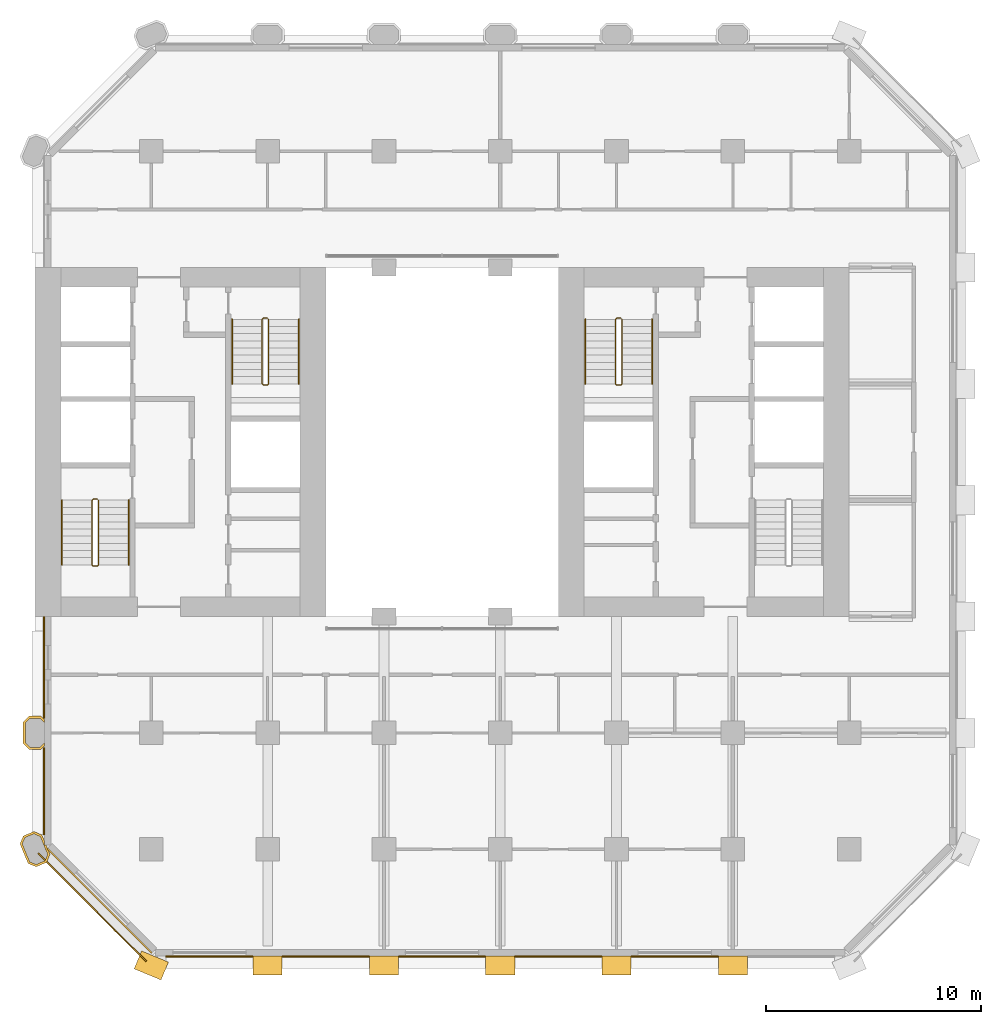
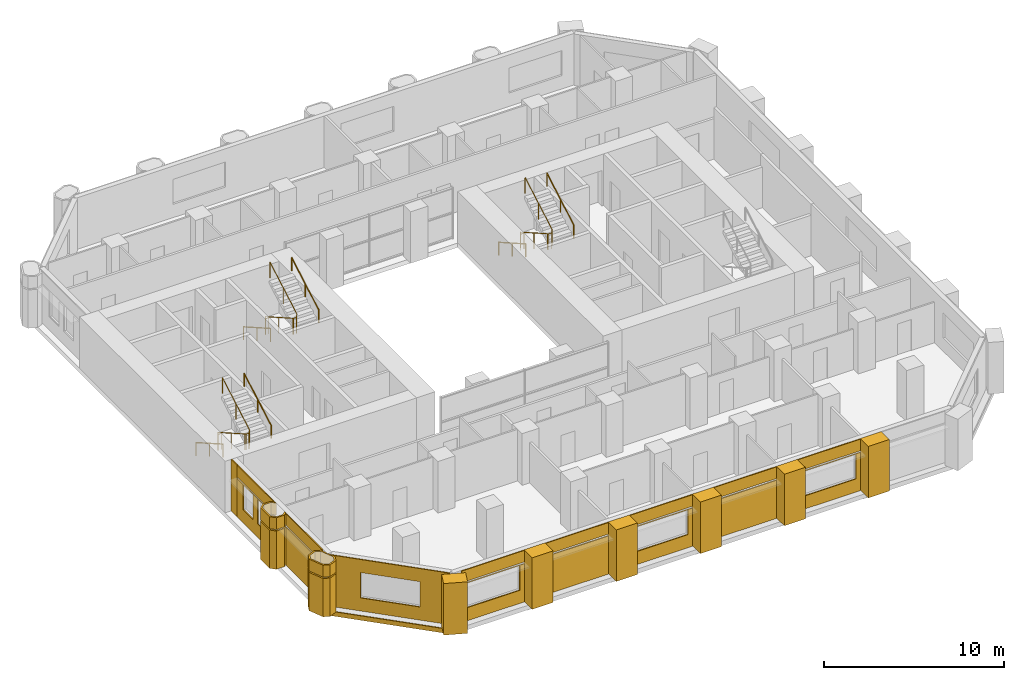
# One storey, part 12 of 13: 27 coverings, 9 railings.
"""IFC4 building model written with IfcOpenShell, lengths in metres."""

from ifc_helpers import new_model, si_unit, direction, frame, frame_2d, origin, origin_2d, place, context, subcontext, project, spatial, polyline, rectangle, circle, outline, extrude, material, layer, layer_set, type_object, element, save


model = new_model("IFC4")

# Units and contexts
model_context = context("Model", 3, precision=1e-05, world=origin(), true_north=direction((0.0, 1.0)))
body_context = subcontext(model_context, "Body", "Model", "MODEL_VIEW")
ifc_project = project(units=[si_unit("LENGTHUNIT", "METRE"), si_unit("AREAUNIT", "SQUARE_METRE"), si_unit("VOLUMEUNIT", "CUBIC_METRE"), si_unit("PLANEANGLEUNIT", "RADIAN"), si_unit("MASSUNIT", "GRAM", prefix="KILO")], contexts=[model_context])

# Site, building, storey
site_placement = place(None, origin())
site = spatial("IfcSite", under=ifc_project, at=site_placement, CompositionType="ELEMENT")
building_placement = place(site_placement, origin())
building = spatial("IfcBuilding", under=site, at=building_placement, Name="Tabaq Tower and Sports Hall", CompositionType="ELEMENT")
storey_placement = place(building_placement, frame((0.0, 0.0, 41.199951171875)))
storey = spatial("IfcBuildingStorey", under=building, at=storey_placement, Name="L08", CompositionType="ELEMENT", Elevation=41.199951171875)

# Coverings
ifc_material_1 = material(Name="Precast concrete C60/75", Category="concrete")
ifc_layer_1 = layer(ifc_material_1, 0.10009765625)
ifc_layer_set_1 = layer_set([ifc_layer_1], Name="Column cladding 100")
covering_type_1 = type_object("IfcCoveringType", Name="Column cladding 100", PredefinedType="CLADDING", material=ifc_layer_set_1)
covering_1_placement = place(storey_placement, origin())
element("IfcCovering", 1, at=covering_1_placement, inside=storey, type_object=covering_type_1, Name="Column cladding L08 PC-2B-O1", PredefinedType="CLADDING", context=body_context, shape_type="SweptSolid", body=[
    extrude(outline(polyline([(5.450439453125, 4.582275390625), (5.080078125, 4.73583984375), (4.7041015625, 5.6435546875), (4.857421875, 6.013916015625), (5.349609375, 6.217529296875), (5.7197265625, 6.064208984375), (5.849609375, 5.750732421875), (5.849609375, 5.586181640625), (5.91796875, 5.586181640625), (5.9814453125, 5.432373046875), (5.9501953125, 5.401123046875), (6.026123046875, 5.3251953125), (6.095947265625, 5.156494140625), (5.9423828125, 4.7861328125), (5.450439453125, 4.582275390625)]), holes=[polyline([(5.349609375, 6.110107421875), (4.93359375, 5.937744140625), (4.811767578125, 5.6435546875), (5.15625, 4.811767578125), (5.450439453125, 4.68994140625), (5.866455078125, 4.8623046875), (5.98828125, 5.156494140625), (5.643798828125, 5.98828125), (5.349609375, 6.110107421875)])]), origin(), (0.0, 0.0, 1.0), 2.60009765625),
])
covering_2_placement = place(storey_placement, frame((0.0, 0.0, 2.699951171875)))
element("IfcCovering", 2, at=covering_2_placement, inside=storey, type_object=covering_type_1, Name="Column cladding L08 PC-2B-O1 2", PredefinedType="CLADDING", context=body_context, shape_type="SweptSolid", body=[
    extrude(outline(polyline([(5.450439453125, 4.582275390625), (5.080078125, 4.73583984375), (4.7041015625, 5.6435546875), (4.857421875, 6.013916015625), (5.349609375, 6.217529296875), (5.7197265625, 6.064208984375), (5.849609375, 5.750732421875), (5.849609375, 5.586181640625), (5.91796875, 5.586181640625), (5.9814453125, 5.432373046875), (5.9501953125, 5.401123046875), (6.026123046875, 5.3251953125), (6.095947265625, 5.156494140625), (5.9423828125, 4.7861328125), (5.450439453125, 4.582275390625)]), holes=[polyline([(5.349609375, 6.110107421875), (4.93359375, 5.937744140625), (4.811767578125, 5.6435546875), (5.15625, 4.811767578125), (5.450439453125, 4.68994140625), (5.866455078125, 4.8623046875), (5.98828125, 5.156494140625), (5.643798828125, 5.98828125), (5.349609375, 6.110107421875)])]), origin(), (0.0, 0.0, 1.0), 0.800048828125),
])
covering_3_placement = place(storey_placement, origin())
element("IfcCovering", 3, at=covering_3_placement, inside=storey, type_object=covering_type_1, Name="Column cladding L08 PC-2C-O1", PredefinedType="CLADDING", context=body_context, shape_type="SweptSolid", body=[
    extrude(outline(polyline([(5.1337890625, 10.025390625), (4.850341796875, 10.30859375), (4.850341796875, 11.291259765625), (5.1337890625, 11.57470703125), (5.666259765625, 11.57470703125), (5.849609375, 11.391357421875), (5.849609375, 11.250732421875), (5.625244140625, 11.475341796875), (5.1748046875, 11.475341796875), (4.94970703125, 11.250244140625), (4.94970703125, 10.349853515625), (5.1748046875, 10.124755859375), (5.625244140625, 10.124755859375), (5.849609375, 10.349365234375), (5.849609375, 10.208740234375), (5.666259765625, 10.025390625), (5.1337890625, 10.025390625)])), origin(), (0.0, 0.0, 1.0), 2.60009765625),
])
covering_4_placement = place(storey_placement, frame((0.0, 0.0, 2.699951171875)))
element("IfcCovering", 4, at=covering_4_placement, inside=storey, type_object=covering_type_1, Name="Column cladding L08 PC-2C-O1 2", PredefinedType="CLADDING", context=body_context, shape_type="SweptSolid", body=[
    extrude(outline(polyline([(5.1337890625, 10.025390625), (4.850341796875, 10.30859375), (4.850341796875, 11.291259765625), (5.1337890625, 11.57470703125), (5.666259765625, 11.57470703125), (5.849609375, 11.391357421875), (5.849609375, 11.250732421875), (5.625244140625, 11.475341796875), (5.1748046875, 11.475341796875), (4.94970703125, 11.250244140625), (4.94970703125, 10.349853515625), (5.1748046875, 10.124755859375), (5.625244140625, 10.124755859375), (5.849609375, 10.349365234375), (5.849609375, 10.208740234375), (5.666259765625, 10.025390625), (5.1337890625, 10.025390625)])), origin(), (0.0, 0.0, 1.0), 0.800048828125),
])
ifc_material_2 = material(Name="Precast concrete C60/75", Category="concrete")
ifc_layer_2 = layer(ifc_material_2, 0.06005859375)
ifc_layer_set_2 = layer_set([ifc_layer_2], Name="Edge beam cladding 60")
covering_type_2 = type_object("IfcCoveringType", Name="Edge beam cladding 60", PredefinedType="CLADDING", material=ifc_layer_set_2)
covering_5_placement = place(storey_placement, frame((5.5556640625, 5.201904296875, -0.300048828125), z_axis=(0.0, 0.0, 1.0), x_axis=(0.707106781187, -0.707106781187, 0.0)))
element("IfcCovering", 5, at=covering_5_placement, inside=storey, type_object=covering_type_2, Name="Edge beam cladding L08 5", PredefinedType="CLADDING", context=body_context, shape_type="SweptSolid", body=[
    extrude(rectangle(XDim=7.087890625, YDim=0.06005859375, at=frame_2d((3.5439453125, 0.0))), origin(), (0.0, 0.0, 1.0), 0.300048828125),
])
ifc_material_3 = material(Name="White precast concrete C60/75", Category="concrete")
covering_type_3 = type_object("IfcCoveringType", Name="Pier cladding hung 1350x900", PredefinedType="CLADDING", material=ifc_material_3)
for number, where, z_axis, x_axis, name in (
    (6, (10.17626953125, 0.25830078125, 0.0), (0.0, 0.0, 1.0), (0.923893411637, -0.382649923473, 0.0), "Hung pier cladding 2/0"),
    (7, (15.52490234375, 0.0, 0.0), (0.0, 0.0, 1.0), (1.0, 0.0, 0.0), "Hung pier cladding 3/0"),
):
    element("IfcCovering", number, at=place(storey_placement, frame(where, z_axis=z_axis, x_axis=x_axis)), inside=storey, type_object=covering_type_3, Name=name, PredefinedType="CLADDING", context=body_context, shape_type="SweptSolid", body=[
        extrude(rectangle(XDim=1.35009765625, YDim=0.89990234375, at=frame_2d((0.675048828125, 0.0))), origin(), (0.0, 0.0, 1.0), 3.5),
    ])
covering_6_placement = place(storey_placement, frame((20.925048828125, 0.0, 0.0), z_axis=(0.0, 0.0, 1.0), x_axis=(1.0, 0.0, 0.0)))
element("IfcCovering", 8, at=covering_6_placement, inside=storey, type_object=covering_type_3, Name="Hung pier cladding 4/0", PredefinedType="CLADDING", context=body_context, shape_type="SweptSolid", body=[
    extrude(rectangle(XDim=1.349853515625, YDim=0.89990234375, at=frame_2d((0.6748046875, 0.0))), origin(), (0.0, 0.0, 1.0), 3.5),
])
covering_7_placement = place(storey_placement, frame((26.324951171875, 0.0, 0.0), z_axis=(0.0, 0.0, 1.0), x_axis=(1.0, 0.0, 0.0)))
element("IfcCovering", 9, at=covering_7_placement, inside=storey, type_object=covering_type_3, Name="Hung pier cladding 5/0", PredefinedType="CLADDING", context=body_context, shape_type="SweptSolid", body=[
    extrude(rectangle(XDim=1.35009765625, YDim=0.89990234375, at=frame_2d((0.675048828125, 0.0))), origin(), (0.0, 0.0, 1.0), 3.5),
])
covering_8_placement = place(storey_placement, frame((31.72509765625, 0.0, 0.0), z_axis=(0.0, 0.0, 1.0), x_axis=(1.0, 0.0, 0.0)))
element("IfcCovering", 10, at=covering_8_placement, inside=storey, type_object=covering_type_3, Name="Hung pier cladding 6/0", PredefinedType="CLADDING", context=body_context, shape_type="SweptSolid", body=[
    extrude(rectangle(XDim=1.349853515625, YDim=0.89990234375, at=frame_2d((0.6748046875, 0.0))), origin(), (0.0, 0.0, 1.0), 3.5),
])
covering_9_placement = place(storey_placement, frame((37.125, 0.0, 0.0), z_axis=(0.0, 0.0, 1.0), x_axis=(1.0, 0.0, 0.0)))
element("IfcCovering", 11, at=covering_9_placement, inside=storey, type_object=covering_type_3, Name="Hung pier cladding 7/0", PredefinedType="CLADDING", context=body_context, shape_type="SweptSolid", body=[
    extrude(rectangle(XDim=1.35009765625, YDim=0.89990234375, at=frame_2d((0.675048828125, 0.0))), origin(), (0.0, 0.0, 1.0), 3.5),
])

# Railings
ifc_material_4 = material(Name="Stainless steel", Category="steel")
railing_type_1 = type_object("IfcRailingType", Name="Stair guard", PredefinedType="GUARDRAIL", material=ifc_material_4)
railing_1_placement = place(storey_placement, frame((8.300048828125, 21.64990234375, 0.0)))
element("IfcRailing", 12, at=railing_1_placement, inside=storey, type_object=railing_type_1, Name="L08 ST1 stair guard 1", PredefinedType="GUARDRAIL", context=body_context, shape_type="SweptSolid", body=[
    extrude(circle(Radius=0.02392578125, at=origin_2d()), frame((0.0, 0.0, 1.076171875), z_axis=(-1.0, 0.0, 0.0), x_axis=(0.0, -1.0, 0.0)), (0.0, 0.0, 1.0), 0.199951171875),
    extrude(circle(Radius=0.02392578125, at=origin_2d()), frame((-0.199951171875, 0.0, 1.076171875), z_axis=(-0.246983470365, -0.245778672949, 0.937332389972), x_axis=(0.705375805398, -0.708833529934, 0.0)), (0.0, 0.0, 1.0), 0.20263671875),
    extrude(circle(Radius=0.02392578125, at=origin_2d()), frame((-0.25, -0.0498046875, 1.26611328125), z_axis=(0.0, -0.868751719353, 0.495247867356), x_axis=(1.0, 0.0, 0.0)), (0.0, 0.0, 1.0), 3.453125),
    extrude(circle(Radius=0.02392578125, at=origin_2d()), frame((-0.25, -3.0498046875, 2.97607421875), z_axis=(0.707106781187, -0.707106781187, 0.0), x_axis=(0.707106781187, 0.707106781187, 0.0)), (0.0, 0.0, 1.0), 0.07080078125),
    extrude(circle(Radius=0.02392578125, at=origin_2d()), frame((-0.199951171875, -3.099853515625, 2.97607421875), z_axis=(1.0, 0.0, 0.0), x_axis=(0.0, 1.0, 0.0)), (0.0, 0.0, 1.0), 0.199951171875),
    extrude(circle(Radius=0.02392578125, at=origin_2d()), frame((0.0, -3.099853515625, 2.97607421875), z_axis=(0.246910188598, 0.246910188598, 0.937054276727), x_axis=(-0.707106781187, 0.707106781187, 0.0)), (0.0, 0.0, 1.0), 0.20263671875),
    extrude(circle(Radius=0.02392578125, at=origin_2d()), frame((0.050048828125, -3.0498046875, 3.166015625), z_axis=(0.0, 0.868782136927, 0.495194505781), x_axis=(-1.0, 0.0, 0.0)), (0.0, 0.0, 1.0), 3.453125),
    extrude(circle(Radius=0.02099609375, at=origin_2d()), origin(), (0.0, 0.0, 1.0), 1.052001953125),
    extrude(circle(Radius=0.02099609375, at=origin_2d()), frame((-0.199951171875, 0.0, 0.0)), (0.0, 0.0, 1.0), 1.052001953125),
    extrude(circle(Radius=0.02099609375, at=origin_2d()), frame((-0.25, -0.0498046875, 0.18994140625)), (0.0, 0.0, 1.0), 1.052001953125),
    extrude(circle(Radius=0.02099609375, at=origin_2d()), frame((-0.25, -1.5498046875, 1.044921875)), (0.0, 0.0, 1.0), 1.052001953125),
    extrude(circle(Radius=0.02099609375, at=origin_2d()), frame((-0.25, -3.0498046875, 1.900146484375)), (0.0, 0.0, 1.0), 1.052001953125),
    extrude(circle(Radius=0.02099609375, at=origin_2d()), frame((-0.199951171875, -3.099853515625, 1.900146484375)), (0.0, 0.0, 1.0), 1.052001953125),
    extrude(circle(Radius=0.02099609375, at=origin_2d()), frame((0.0, -3.099853515625, 1.900146484375)), (0.0, 0.0, 1.0), 1.052001953125),
    extrude(circle(Radius=0.02099609375, at=origin_2d()), frame((0.050048828125, -3.0498046875, 2.090087890625)), (0.0, 0.0, 1.0), 1.052001953125),
    extrude(circle(Radius=0.02099609375, at=origin_2d()), frame((0.050048828125, -1.5498046875, 2.945068359375)), (0.0, 0.0, 1.0), 1.052001953125),
    extrude(circle(Radius=0.02099609375, at=origin_2d()), frame((0.050048828125, -0.0498046875, 3.800048828125)), (0.0, 0.0, 1.0), 1.052001953125),
])
railing_2_placement = place(storey_placement, frame((16.199951171875, 30.050048828125, 0.0)))
element("IfcRailing", 13, at=railing_2_placement, inside=storey, type_object=railing_type_1, Name="L08 ST2 stair guard 1", PredefinedType="GUARDRAIL", context=body_context, shape_type="SweptSolid", body=[
    extrude(circle(Radius=0.02392578125, at=origin_2d()), frame((0.0, 0.0, 1.076171875), z_axis=(-1.0, 0.0, 0.0), x_axis=(0.0, -1.0, 0.0)), (0.0, 0.0, 1.0), 0.199951171875),
    extrude(circle(Radius=0.02392578125, at=origin_2d()), frame((-0.199951171875, 0.0, 1.076171875), z_axis=(-0.246910188598, -0.246910188598, 0.937054276727), x_axis=(0.707106781187, -0.707106781187, 0.0)), (0.0, 0.0, 1.0), 0.20263671875),
    extrude(circle(Radius=0.02392578125, at=origin_2d()), frame((-0.25, -0.050048828125, 1.26611328125), z_axis=(0.0, -0.868751719353, 0.495247867356), x_axis=(1.0, 0.0, 0.0)), (0.0, 0.0, 1.0), 3.453125),
    extrude(circle(Radius=0.02392578125, at=origin_2d()), frame((-0.25, -3.050048828125, 2.97607421875), z_axis=(0.707106781187, -0.707106781187, 0.0), x_axis=(0.707106781187, 0.707106781187, 0.0)), (0.0, 0.0, 1.0), 0.07080078125),
    extrude(circle(Radius=0.02392578125, at=origin_2d()), frame((-0.199951171875, -3.10009765625, 2.97607421875), z_axis=(1.0, 0.0, 0.0), x_axis=(0.0, 1.0, 0.0)), (0.0, 0.0, 1.0), 0.199951171875),
    extrude(circle(Radius=0.02392578125, at=origin_2d()), frame((0.0, -3.10009765625, 2.97607421875), z_axis=(0.246910188598, 0.246910188598, 0.937054276727), x_axis=(-0.707106781187, 0.707106781187, 0.0)), (0.0, 0.0, 1.0), 0.20263671875),
    extrude(circle(Radius=0.02392578125, at=origin_2d()), frame((0.050048828125, -3.050048828125, 3.166015625), z_axis=(0.0, 0.868782136927, 0.495194505781), x_axis=(-1.0, 0.0, 0.0)), (0.0, 0.0, 1.0), 3.453125),
    extrude(circle(Radius=0.02099609375, at=origin_2d()), origin(), (0.0, 0.0, 1.0), 1.052001953125),
    extrude(circle(Radius=0.02099609375, at=origin_2d()), frame((-0.199951171875, 0.0, 0.0)), (0.0, 0.0, 1.0), 1.052001953125),
    extrude(circle(Radius=0.02099609375, at=origin_2d()), frame((-0.25, -0.050048828125, 0.18994140625)), (0.0, 0.0, 1.0), 1.052001953125),
    extrude(circle(Radius=0.02099609375, at=origin_2d()), frame((-0.25, -1.550048828125, 1.044921875)), (0.0, 0.0, 1.0), 1.052001953125),
    extrude(circle(Radius=0.02099609375, at=origin_2d()), frame((-0.25, -3.050048828125, 1.900146484375)), (0.0, 0.0, 1.0), 1.052001953125),
    extrude(circle(Radius=0.02099609375, at=origin_2d()), frame((-0.199951171875, -3.10009765625, 1.900146484375)), (0.0, 0.0, 1.0), 1.052001953125),
    extrude(circle(Radius=0.02099609375, at=origin_2d()), frame((0.0, -3.10009765625, 1.900146484375)), (0.0, 0.0, 1.0), 1.052001953125),
    extrude(circle(Radius=0.02099609375, at=origin_2d()), frame((0.050048828125, -3.050048828125, 2.090087890625)), (0.0, 0.0, 1.0), 1.052001953125),
    extrude(circle(Radius=0.02099609375, at=origin_2d()), frame((0.050048828125, -1.550048828125, 2.945068359375)), (0.0, 0.0, 1.0), 1.052001953125),
    extrude(circle(Radius=0.02099609375, at=origin_2d()), frame((0.050048828125, -0.050048828125, 3.800048828125)), (0.0, 0.0, 1.0), 1.052001953125),
])
railing_3_placement = place(storey_placement, frame((32.60009765625, 30.050048828125, 0.0)))
element("IfcRailing", 14, at=railing_3_placement, inside=storey, type_object=railing_type_1, Name="L08 ST4 stair guard 1", PredefinedType="GUARDRAIL", context=body_context, shape_type="SweptSolid", body=[
    extrude(circle(Radius=0.02392578125, at=origin_2d()), frame((0.0, 0.0, 1.076171875), z_axis=(-1.0, 0.0, 0.0), x_axis=(0.0, -1.0, 0.0)), (0.0, 0.0, 1.0), 0.2001953125),
    extrude(circle(Radius=0.02392578125, at=origin_2d()), frame((-0.2001953125, 0.0, 1.076171875), z_axis=(-0.245778672949, -0.246983470365, 0.937332389972), x_axis=(0.708833529934, -0.705375805398, 0.0)), (0.0, 0.0, 1.0), 0.20263671875),
    extrude(circle(Radius=0.02392578125, at=origin_2d()), frame((-0.25, -0.050048828125, 1.26611328125), z_axis=(0.0, -0.868751719353, 0.495247867356), x_axis=(1.0, 0.0, 0.0)), (0.0, 0.0, 1.0), 3.453125),
    extrude(circle(Radius=0.02392578125, at=origin_2d()), frame((-0.25, -3.050048828125, 2.97607421875), z_axis=(0.705375805398, -0.708833529934, 0.0), x_axis=(0.708833529934, 0.705375805398, 0.0)), (0.0, 0.0, 1.0), 0.070556640625),
    extrude(circle(Radius=0.02392578125, at=origin_2d()), frame((-0.2001953125, -3.10009765625, 2.97607421875), z_axis=(1.0, 0.0, 0.0), x_axis=(0.0, 1.0, 0.0)), (0.0, 0.0, 1.0), 0.2001953125),
    extrude(circle(Radius=0.02392578125, at=origin_2d()), frame((0.0, -3.10009765625, 2.97607421875), z_axis=(0.245778672949, 0.246983470365, 0.937332389972), x_axis=(-0.708833529934, 0.705375805398, 0.0)), (0.0, 0.0, 1.0), 0.20263671875),
    extrude(circle(Radius=0.02392578125, at=origin_2d()), frame((0.0498046875, -3.050048828125, 3.166015625), z_axis=(0.0, 0.868782136927, 0.495194505781), x_axis=(-1.0, 0.0, 0.0)), (0.0, 0.0, 1.0), 3.453125),
    extrude(circle(Radius=0.02099609375, at=origin_2d()), origin(), (0.0, 0.0, 1.0), 1.052001953125),
    extrude(circle(Radius=0.02099609375, at=origin_2d()), frame((-0.2001953125, 0.0, 0.0)), (0.0, 0.0, 1.0), 1.052001953125),
    extrude(circle(Radius=0.02099609375, at=origin_2d()), frame((-0.25, -0.050048828125, 0.18994140625)), (0.0, 0.0, 1.0), 1.052001953125),
    extrude(circle(Radius=0.02099609375, at=origin_2d()), frame((-0.25, -1.550048828125, 1.044921875)), (0.0, 0.0, 1.0), 1.052001953125),
    extrude(circle(Radius=0.02099609375, at=origin_2d()), frame((-0.25, -3.050048828125, 1.900146484375)), (0.0, 0.0, 1.0), 1.052001953125),
    extrude(circle(Radius=0.02099609375, at=origin_2d()), frame((-0.2001953125, -3.10009765625, 1.900146484375)), (0.0, 0.0, 1.0), 1.052001953125),
    extrude(circle(Radius=0.02099609375, at=origin_2d()), frame((0.0, -3.10009765625, 1.900146484375)), (0.0, 0.0, 1.0), 1.052001953125),
    extrude(circle(Radius=0.02099609375, at=origin_2d()), frame((0.0498046875, -3.050048828125, 2.090087890625)), (0.0, 0.0, 1.0), 1.052001953125),
    extrude(circle(Radius=0.02099609375, at=origin_2d()), frame((0.0498046875, -1.550048828125, 2.945068359375)), (0.0, 0.0, 1.0), 1.052001953125),
    extrude(circle(Radius=0.02099609375, at=origin_2d()), frame((0.0498046875, -0.050048828125, 3.800048828125)), (0.0, 0.0, 1.0), 1.052001953125),
])
ifc_material_5 = material(Name="Stainless steel", Category="steel")
railing_type_2 = type_object("IfcRailingType", Name="Stair handrail", PredefinedType="HANDRAIL", material=ifc_material_5)
railing_4_placement = place(storey_placement, frame((6.64990234375, 21.60009765625, 0.18994140625)))
element("IfcRailing", 15, at=railing_4_placement, inside=storey, type_object=railing_type_2, Name="L08 ST1 stair handrail 1", PredefinedType="HANDRAIL", context=body_context, shape_type="SweptSolid", body=[
    extrude(circle(Radius=0.02392578125, at=origin_2d()), frame((0.0, 0.0, 0.8759765625), z_axis=(0.0, -0.868751719353, 0.495247867356), x_axis=(1.0, 0.0, 0.0)), (0.0, 0.0, 1.0), 3.453125),
    extrude(circle(Radius=0.02099609375, at=origin_2d()), origin(), (0.0, 0.0, 1.0), 0.851806640625),
    extrude(circle(Radius=0.02099609375, at=origin_2d()), frame((0.0, -1.5, 0.85498046875)), (0.0, 0.0, 1.0), 0.851806640625),
    extrude(circle(Radius=0.02099609375, at=origin_2d()), frame((0.0, -3.0, 1.710205078125)), (0.0, 0.0, 1.0), 0.851806640625),
])
railing_5_placement = place(storey_placement, frame((9.75, 18.60009765625, 2.090087890625)))
element("IfcRailing", 16, at=railing_5_placement, inside=storey, type_object=railing_type_2, Name="L08 ST1 stair handrail 2", PredefinedType="HANDRAIL", context=body_context, shape_type="SweptSolid", body=[
    extrude(circle(Radius=0.02392578125, at=origin_2d()), frame((0.0, 0.0, 0.8759765625), z_axis=(0.0, 0.868782136927, 0.495194505781), x_axis=(-1.0, 0.0, 0.0)), (0.0, 0.0, 1.0), 3.453125),
    extrude(circle(Radius=0.02099609375, at=origin_2d()), origin(), (0.0, 0.0, 1.0), 0.851806640625),
    extrude(circle(Radius=0.02099609375, at=origin_2d()), frame((0.0, 1.5, 0.85498046875)), (0.0, 0.0, 1.0), 0.851806640625),
    extrude(circle(Radius=0.02099609375, at=origin_2d()), frame((0.0, 3.0, 1.7099609375)), (0.0, 0.0, 1.0), 0.851806640625),
])
railing_6_placement = place(storey_placement, frame((14.550048828125, 30.0, 0.18994140625)))
element("IfcRailing", 17, at=railing_6_placement, inside=storey, type_object=railing_type_2, Name="L08 ST2 stair handrail 1", PredefinedType="HANDRAIL", context=body_context, shape_type="SweptSolid", body=[
    extrude(circle(Radius=0.02392578125, at=origin_2d()), frame((0.0, 0.0, 0.8759765625), z_axis=(0.0, -0.868751719353, 0.495247867356), x_axis=(1.0, 0.0, 0.0)), (0.0, 0.0, 1.0), 3.453125),
    extrude(circle(Radius=0.02099609375, at=origin_2d()), origin(), (0.0, 0.0, 1.0), 0.851806640625),
    extrude(circle(Radius=0.02099609375, at=origin_2d()), frame((0.0, -1.5, 0.85498046875)), (0.0, 0.0, 1.0), 0.851806640625),
    extrude(circle(Radius=0.02099609375, at=origin_2d()), frame((0.0, -3.0, 1.710205078125)), (0.0, 0.0, 1.0), 0.851806640625),
])
railing_7_placement = place(storey_placement, frame((17.64990234375, 27.0, 2.090087890625)))
element("IfcRailing", 18, at=railing_7_placement, inside=storey, type_object=railing_type_2, Name="L08 ST2 stair handrail 2", PredefinedType="HANDRAIL", context=body_context, shape_type="SweptSolid", body=[
    extrude(circle(Radius=0.02392578125, at=origin_2d()), frame((0.0, 0.0, 0.8759765625), z_axis=(0.0, 0.868782136927, 0.495194505781), x_axis=(-1.0, 0.0, 0.0)), (0.0, 0.0, 1.0), 3.453125),
    extrude(circle(Radius=0.02099609375, at=origin_2d()), origin(), (0.0, 0.0, 1.0), 0.851806640625),
    extrude(circle(Radius=0.02099609375, at=origin_2d()), frame((0.0, 1.5, 0.85498046875)), (0.0, 0.0, 1.0), 0.851806640625),
    extrude(circle(Radius=0.02099609375, at=origin_2d()), frame((0.0, 3.0, 1.7099609375)), (0.0, 0.0, 1.0), 0.851806640625),
])
railing_8_placement = place(storey_placement, frame((30.949951171875, 30.0, 0.18994140625)))
element("IfcRailing", 19, at=railing_8_placement, inside=storey, type_object=railing_type_2, Name="L08 ST4 stair handrail 1", PredefinedType="HANDRAIL", context=body_context, shape_type="SweptSolid", body=[
    extrude(circle(Radius=0.02392578125, at=origin_2d()), frame((0.0, 0.0, 0.8759765625), z_axis=(0.0, -0.868751719353, 0.495247867356), x_axis=(1.0, 0.0, 0.0)), (0.0, 0.0, 1.0), 3.453125),
    extrude(circle(Radius=0.02099609375, at=origin_2d()), origin(), (0.0, 0.0, 1.0), 0.851806640625),
    extrude(circle(Radius=0.02099609375, at=origin_2d()), frame((0.0, -1.5, 0.85498046875)), (0.0, 0.0, 1.0), 0.851806640625),
    extrude(circle(Radius=0.02099609375, at=origin_2d()), frame((0.0, -3.0, 1.710205078125)), (0.0, 0.0, 1.0), 0.851806640625),
])
railing_9_placement = place(storey_placement, frame((34.050048828125, 27.0, 2.090087890625)))
element("IfcRailing", 20, at=railing_9_placement, inside=storey, type_object=railing_type_2, Name="L08 ST4 stair handrail 2", PredefinedType="HANDRAIL", context=body_context, shape_type="SweptSolid", body=[
    extrude(circle(Radius=0.02392578125, at=origin_2d()), frame((0.0, 0.0, 0.8759765625), z_axis=(0.0, 0.868782136927, 0.495194505781), x_axis=(-1.0, 0.0, 0.0)), (0.0, 0.0, 1.0), 3.453125),
    extrude(circle(Radius=0.02099609375, at=origin_2d()), origin(), (0.0, 0.0, 1.0), 0.851806640625),
    extrude(circle(Radius=0.02099609375, at=origin_2d()), frame((0.0, 1.5, 0.85498046875)), (0.0, 0.0, 1.0), 0.851806640625),
    extrude(circle(Radius=0.02099609375, at=origin_2d()), frame((0.0, 3.0, 1.7099609375)), (0.0, 0.0, 1.0), 0.851806640625),
])

# Coverings
ifc_material_6 = material(Name="Precast concrete C60/75", Category="concrete")
ifc_layer_3 = layer(ifc_material_6, 0.06005859375)
ifc_layer_set_3 = layer_set([ifc_layer_3], Name="White precast cladding panel 60 C60/75")
covering_type_4 = type_object("IfcCoveringType", Name="White precast cladding panel 60 C60/75", PredefinedType="CLADDING", material=ifc_layer_set_3)
covering_10_placement = place(storey_placement, frame((11.465087890625, 0.419921875, 0.0), z_axis=(0.0, 0.0, 1.0), x_axis=(1.0, 0.0, 0.0)))
element("IfcCovering", 21, at=covering_10_placement, inside=storey, type_object=covering_type_4, Name="White precast cladding panel L08 wall00", PredefinedType="CLADDING", context=body_context, shape_type="SweptSolid", body=[
    extrude(outline(polyline([(0.0, 0.0), (4.0498046875, 0.0), (4.0498046875, 2.590087890625), (0.0, 2.590087890625), (0.0, 0.0)]), holes=[polyline([(3.7451171875, 0.89013671875), (0.324951171875, 0.89013671875), (0.324951171875, 2.56005859375), (3.7451171875, 2.56005859375), (3.7451171875, 0.89013671875)])]), frame((0.0, 0.030029296875, 0.0), z_axis=(0.0, -1.0, 0.0), x_axis=(1.0, 0.0, 0.0)), (0.0, 0.0, 1.0), 0.06005859375),
])
covering_11_placement = place(storey_placement, frame((11.465087890625, 0.419921875, 2.7099609375), z_axis=(0.0, 0.0, 1.0), x_axis=(1.0, 0.0, 0.0)))
element("IfcCovering", 22, at=covering_11_placement, inside=storey, type_object=covering_type_4, Name="White precast cladding panel L08 wall00 2", PredefinedType="CLADDING", context=body_context, shape_type="SweptSolid", body=[
    extrude(rectangle(XDim=4.0498046875, YDim=0.06005859375, at=frame_2d((2.02490234375, 0.0))), origin(), (0.0, 0.0, 1.0), 0.7900390625),
])
covering_12_placement = place(storey_placement, frame((16.885009765625, 0.419921875, 0.0), z_axis=(0.0, 0.0, 1.0), x_axis=(1.0, 0.0, 0.0)))
element("IfcCovering", 23, at=covering_12_placement, inside=storey, type_object=covering_type_4, Name="White precast cladding panel L08 wall00 3", PredefinedType="CLADDING", context=body_context, shape_type="SweptSolid", body=[
    extrude(rectangle(XDim=4.030029296875, YDim=0.06005859375, at=frame_2d((2.01513671875, 0.0))), origin(), (0.0, 0.0, 1.0), 2.590087890625),
])
covering_13_placement = place(storey_placement, frame((16.885009765625, 0.419921875, 2.7099609375), z_axis=(0.0, 0.0, 1.0), x_axis=(1.0, 0.0, 0.0)))
element("IfcCovering", 24, at=covering_13_placement, inside=storey, type_object=covering_type_4, Name="White precast cladding panel L08 wall00 4", PredefinedType="CLADDING", context=body_context, shape_type="SweptSolid", body=[
    extrude(rectangle(XDim=4.030029296875, YDim=0.06005859375, at=frame_2d((2.01513671875, 0.0))), origin(), (0.0, 0.0, 1.0), 0.7900390625),
])
covering_14_placement = place(storey_placement, frame((22.284912109375, 0.419921875, 0.0), z_axis=(0.0, 0.0, 1.0), x_axis=(1.0, 0.0, 0.0)))
element("IfcCovering", 25, at=covering_14_placement, inside=storey, type_object=covering_type_4, Name="White precast cladding panel L08 wall00 5", PredefinedType="CLADDING", context=body_context, shape_type="SweptSolid", body=[
    extrude(outline(polyline([(0.0, 0.0), (4.030029296875, 0.0), (4.030029296875, 2.590087890625), (0.0, 2.590087890625), (0.0, 0.0)]), holes=[polyline([(3.72509765625, 0.89013671875), (0.304931640625, 0.89013671875), (0.304931640625, 2.56005859375), (3.72509765625, 2.56005859375), (3.72509765625, 0.89013671875)])]), frame((0.0, 0.030029296875, 0.0), z_axis=(0.0, -1.0, 0.0), x_axis=(1.0, 0.0, 0.0)), (0.0, 0.0, 1.0), 0.06005859375),
])
covering_15_placement = place(storey_placement, frame((22.284912109375, 0.419921875, 2.7099609375), z_axis=(0.0, 0.0, 1.0), x_axis=(1.0, 0.0, 0.0)))
element("IfcCovering", 26, at=covering_15_placement, inside=storey, type_object=covering_type_4, Name="White precast cladding panel L08 wall00 6", PredefinedType="CLADDING", context=body_context, shape_type="SweptSolid", body=[
    extrude(rectangle(XDim=4.030029296875, YDim=0.06005859375, at=frame_2d((2.01513671875, 0.0))), origin(), (0.0, 0.0, 1.0), 0.7900390625),
])
covering_16_placement = place(storey_placement, frame((27.68505859375, 0.419921875, 0.0), z_axis=(0.0, 0.0, 1.0), x_axis=(1.0, 0.0, 0.0)))
element("IfcCovering", 27, at=covering_16_placement, inside=storey, type_object=covering_type_4, Name="White precast cladding panel L08 wall00 7", PredefinedType="CLADDING", context=body_context, shape_type="SweptSolid", body=[
    extrude(rectangle(XDim=4.030029296875, YDim=0.06005859375, at=frame_2d((2.01513671875, 0.0))), origin(), (0.0, 0.0, 1.0), 2.590087890625),
])
covering_17_placement = place(storey_placement, frame((27.68505859375, 0.419921875, 2.7099609375), z_axis=(0.0, 0.0, 1.0), x_axis=(1.0, 0.0, 0.0)))
element("IfcCovering", 28, at=covering_17_placement, inside=storey, type_object=covering_type_4, Name="White precast cladding panel L08 wall00 8", PredefinedType="CLADDING", context=body_context, shape_type="SweptSolid", body=[
    extrude(rectangle(XDim=4.030029296875, YDim=0.06005859375, at=frame_2d((2.01513671875, 0.0))), origin(), (0.0, 0.0, 1.0), 0.7900390625),
])
covering_18_placement = place(storey_placement, frame((33.0849609375, 0.419921875, 0.0), z_axis=(0.0, 0.0, 1.0), x_axis=(1.0, 0.0, 0.0)))
element("IfcCovering", 29, at=covering_18_placement, inside=storey, type_object=covering_type_4, Name="White precast cladding panel L08 wall00 9", PredefinedType="CLADDING", context=body_context, shape_type="SweptSolid", body=[
    extrude(outline(polyline([(0.0, 0.0), (4.030029296875, 0.0), (4.030029296875, 2.590087890625), (0.0, 2.590087890625), (0.0, 0.0)]), holes=[polyline([(3.72509765625, 0.89013671875), (0.304931640625, 0.89013671875), (0.304931640625, 2.56005859375), (3.72509765625, 2.56005859375), (3.72509765625, 0.89013671875)])]), frame((0.0, 0.030029296875, 0.0), z_axis=(0.0, -1.0, 0.0), x_axis=(1.0, 0.0, 0.0)), (0.0, 0.0, 1.0), 0.06005859375),
])
covering_19_placement = place(storey_placement, frame((33.0849609375, 0.419921875, 2.7099609375), z_axis=(0.0, 0.0, 1.0), x_axis=(1.0, 0.0, 0.0)))
element("IfcCovering", 30, at=covering_19_placement, inside=storey, type_object=covering_type_4, Name="White precast cladding panel L08 wall00 10", PredefinedType="CLADDING", context=body_context, shape_type="SweptSolid", body=[
    extrude(rectangle(XDim=4.030029296875, YDim=0.06005859375, at=frame_2d((2.01513671875, 0.0))), origin(), (0.0, 0.0, 1.0), 0.7900390625),
])
covering_20_placement = place(storey_placement, frame((5.820068359375, 16.199951171875, 0.0), z_axis=(0.0, 0.0, 1.0), x_axis=(0.0, -1.0, 0.0)))
element("IfcCovering", 31, at=covering_20_placement, inside=storey, type_object=covering_type_4, Name="White precast cladding panel L08 wall06-1", PredefinedType="CLADDING", context=body_context, shape_type="SweptSolid", body=[
    extrude(rectangle(XDim=0.6650390625, YDim=0.06005859375, at=frame_2d((0.33251953125, 0.0))), origin(), (0.0, 0.0, 1.0), 3.5),
])
covering_21_placement = place(storey_placement, frame((5.820068359375, 15.534912109375, 0.0), z_axis=(0.0, 0.0, 1.0), x_axis=(0.0, -1.0, 0.0)))
element("IfcCovering", 32, at=covering_21_placement, inside=storey, type_object=covering_type_4, Name="White precast cladding panel L08 wall06-1 2", PredefinedType="CLADDING", context=body_context, shape_type="SweptSolid", body=[
    extrude(outline(polyline([(0.0, 0.0), (4.0498046875, 0.0), (4.0498046875, 2.590087890625), (0.0, 2.590087890625), (0.0, 0.0)]), holes=[polyline([(0.675048828125, 0.89013671875), (0.675048828125, 2.56005859375), (1.794921875, 2.56005859375), (1.794921875, 0.89013671875), (0.675048828125, 0.89013671875)]), polyline([(2.27490234375, 0.89013671875), (2.27490234375, 2.56005859375), (3.39501953125, 2.56005859375), (3.39501953125, 0.89013671875), (2.27490234375, 0.89013671875)])]), frame((0.0, 0.030029296875, 0.0), z_axis=(0.0, -1.0, 0.0), x_axis=(1.0, 0.0, 0.0)), (0.0, 0.0, 1.0), 0.06005859375),
])
covering_22_placement = place(storey_placement, frame((5.820068359375, 15.534912109375, 2.7099609375), z_axis=(0.0, 0.0, 1.0), x_axis=(0.0, -1.0, 0.0)))
element("IfcCovering", 33, at=covering_22_placement, inside=storey, type_object=covering_type_4, Name="White precast cladding panel L08 wall06-1 3", PredefinedType="CLADDING", context=body_context, shape_type="SweptSolid", body=[
    extrude(rectangle(XDim=4.0498046875, YDim=0.06005859375, at=frame_2d((2.02490234375, 0.0))), origin(), (0.0, 0.0, 1.0), 0.7900390625),
])
covering_23_placement = place(storey_placement, frame((5.820068359375, 10.114990234375, 0.0), z_axis=(0.0, 0.0, 1.0), x_axis=(0.0, -1.0, 0.0)))
element("IfcCovering", 34, at=covering_23_placement, inside=storey, type_object=covering_type_4, Name="White precast cladding panel L08 wall06-1 4", PredefinedType="CLADDING", context=body_context, shape_type="SweptSolid", body=[
    extrude(rectangle(XDim=4.050048828125, YDim=0.06005859375, at=frame_2d((2.02490234375, 0.0))), origin(), (0.0, 0.0, 1.0), 2.590087890625),
])
covering_24_placement = place(storey_placement, frame((5.820068359375, 10.114990234375, 2.7099609375), z_axis=(0.0, 0.0, 1.0), x_axis=(0.0, -1.0, 0.0)))
element("IfcCovering", 35, at=covering_24_placement, inside=storey, type_object=covering_type_4, Name="White precast cladding panel L08 wall06-1 5", PredefinedType="CLADDING", context=body_context, shape_type="SweptSolid", body=[
    extrude(rectangle(XDim=4.050048828125, YDim=0.06005859375, at=frame_2d((2.02490234375, 0.0))), origin(), (0.0, 0.0, 1.0), 0.7900390625),
])
covering_25_placement = place(storey_placement, frame((5.9716796875, 5.42236328125, 0.0), z_axis=(0.0, 0.0, 1.0), x_axis=(0.707106781187, -0.707106781187, 0.0)))
element("IfcCovering", 36, at=covering_25_placement, inside=storey, type_object=covering_type_4, Name="White precast cladding panel L08 wall07", PredefinedType="CLADDING", context=body_context, shape_type="SweptSolid", body=[
    extrude(outline(polyline([(0.0, 0.0), (6.85986328125, 0.0), (6.85986328125, 3.5), (0.0, 3.5), (0.0, 0.0)]), holes=[polyline([(1.7197265625, 0.89013671875), (1.7197265625, 2.610107421875), (5.139892578125, 2.610107421875), (5.139892578125, 0.89013671875), (1.7197265625, 0.89013671875)])]), frame((0.0, 0.030029296875, 0.0), z_axis=(0.0, -1.0, 0.0), x_axis=(1.0, 0.0, 0.0)), (0.0, 0.0, 1.0), 0.06005859375),
])

save(model, "model.ifc")
